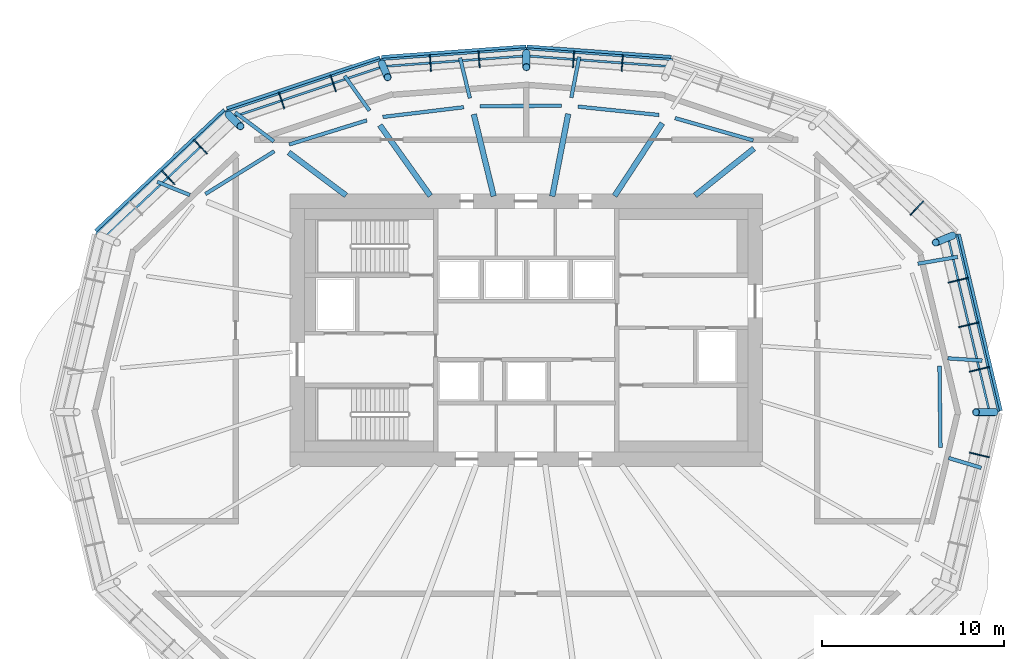
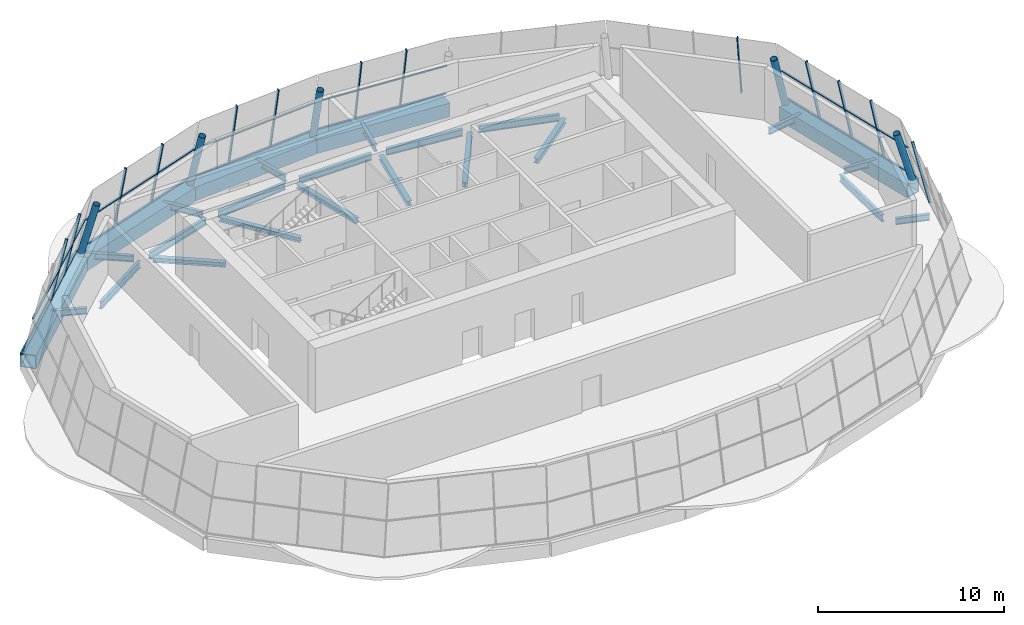
# One storey, part 3 of 9: 28 members, 26 beams, 7 elements without a shape of their own.
"""IFC4 building model written with IfcOpenShell, lengths in metres."""

import ifcopenshell
import ifcopenshell.guid

model = None  # the IFC model being written
_history = None  # IfcOwnerHistory: only IFC2X3 demands one
_inside = {}  # id of a spatial element -> (the spatial element, [elements in it])
_under = {}  # id of a project, library or spatial element -> (it, [spatial elements below it])
_declared = {}  # id of a project -> (the project, [libraries it declares])
_typed = {}  # id of a type object -> (the type object, [elements of that type])
_made_of = {}  # id of a material, layer set ... -> (it, [elements and type objects made of it])


def new_model(schema):
    """Start an empty IFC model of exactly this schema.

    Asked for "IFC4X3", IfcOpenShell would pick the latest addendum, in which some entities
    have other attributes; the version numbers below select the first issue.
    IFC2X3 requires an IfcOwnerHistory on every rooted entity: one is made here for all.
    """
    global model, _history
    if schema == "IFC4X3":
        model = ifcopenshell.file(schema_version=(4, 3, 0, 0))
    else:
        model = ifcopenshell.file(schema=schema)
    _inside.clear()
    _under.clear()
    _declared.clear()
    _typed.clear()
    _made_of.clear()
    _history = None
    if model.schema == "IFC2X3":
        org = make("IfcOrganization", Name="unknown")
        user = make(
            "IfcPersonAndOrganization",
            ThePerson=make("IfcPerson", FamilyName="unknown"),
            TheOrganization=org,
        )
        app = make(
            "IfcApplication",
            ApplicationDeveloper=org,
            Version="unknown",
            ApplicationFullName="unknown",
            ApplicationIdentifier="unknown",
        )
        _history = make(
            "IfcOwnerHistory",
            OwningUser=user,
            OwningApplication=app,
            ChangeAction="ADDED",
            CreationDate=0,
        )
    return model


def make(cls, **values):
    """One entity of the class cls with the attributes given. An attribute that is None is left unset."""
    return model.create_entity(
        cls, **{name: value for name, value in values.items() if value is not None}
    )


def rooted(cls, **values):
    """An entity with a GlobalId (a new one), such as an element, a storey or a relation."""
    return make(cls, GlobalId=ifcopenshell.guid.new(), OwnerHistory=_history, **values)


def si_unit(unit_type, name, prefix=None):
    """IfcSIUnit, for example si_unit("LENGTHUNIT", "METRE", prefix="MILLI")."""
    return make("IfcSIUnit", UnitType=unit_type, Prefix=prefix, Name=name)


def assignment(units):
    """IfcUnitAssignment: the units of a project."""
    return None if units is None else make("IfcUnitAssignment", Units=units)


def point(xyz):
    """IfcCartesianPoint."""
    return None if xyz is None else make("IfcCartesianPoint", Coordinates=xyz)


def direction(xyz):
    """IfcDirection."""
    return None if xyz is None else make("IfcDirection", DirectionRatios=xyz)


def frame(location, z_axis=None, x_axis=None):
    """IfcAxis2Placement3D, a coordinate frame: its origin and axes. An axis left out is left unset."""
    return make(
        "IfcAxis2Placement3D",
        Location=point(location),
        Axis=direction(z_axis),
        RefDirection=direction(x_axis),
    )


def frame_2d(location, x_axis=None):
    """IfcAxis2Placement2D, a coordinate frame in the plane: its origin and x axis."""
    return make(
        "IfcAxis2Placement2D", Location=point(location), RefDirection=direction(x_axis)
    )


def origin():
    """The frame at (0, 0, 0) with its axes left unset."""
    return frame((0.0, 0.0, 0.0))


def origin_2d():
    """The frame at (0, 0) in the plane with its x axis left unset."""
    return frame_2d((0.0, 0.0))


def place(relative_to, where):
    """IfcLocalPlacement: puts the frame where relative to a parent placement (None: the world)."""
    return make(
        "IfcLocalPlacement", PlacementRelTo=relative_to, RelativePlacement=where
    )


def context(
    kind, dimensions, precision=None, world=None, true_north=None, identifier=None
):
    """IfcGeometricRepresentationContext, for example the 3D "Model" context."""
    return make(
        "IfcGeometricRepresentationContext",
        ContextIdentifier=identifier,
        ContextType=kind,
        CoordinateSpaceDimension=dimensions,
        Precision=precision,
        WorldCoordinateSystem=world,
        TrueNorth=true_north,
    )


def subcontext(parent, identifier, kind, view, scale=None):
    """IfcGeometricRepresentationSubContext, for example "Body" below "Model"."""
    return make(
        "IfcGeometricRepresentationSubContext",
        ContextIdentifier=identifier,
        ContextType=kind,
        ParentContext=parent,
        TargetScale=scale,
        TargetView=view,
    )


def project(units=None, contexts=None):
    """IfcProject with its units and contexts."""
    return rooted(
        "IfcProject",
        Name="project",
        RepresentationContexts=contexts,
        UnitsInContext=assignment(units),
    )


def spatial(cls, under=None, at=None, **own):
    """A site, building, storey or space (cls), placed at a placement, below another one or the project."""
    s = rooted(cls, ObjectPlacement=at, **own)
    if under is not None:
        _under.setdefault(under.id(), (under, []))[1].append(s)
    return s


def profile(cls, at=None, kind="AREA", **sizes):
    """A parametric profile (cls). Its sizes go by their IFC names, for example OverallWidth=200.0."""
    return make(cls, ProfileType=kind, Position=at, **sizes)


def rectangle(**sizes):
    """IfcRectangleProfileDef."""
    return profile("IfcRectangleProfileDef", **sizes)


def hollow_rectangle(**sizes):
    """IfcRectangleHollowProfileDef."""
    return profile("IfcRectangleHollowProfileDef", **sizes)


def hollow_circle(**sizes):
    """IfcCircleHollowProfileDef."""
    return profile("IfcCircleHollowProfileDef", **sizes)


def i_section(**sizes):
    """IfcIShapeProfileDef."""
    return profile("IfcIShapeProfileDef", **sizes)


def extrude(swept, where, along, depth):
    """IfcExtrudedAreaSolid: the profile swept, set in the frame where, extruded along a direction by depth."""
    return make(
        "IfcExtrudedAreaSolid",
        SweptArea=swept,
        Position=where,
        ExtrudedDirection=direction(along),
        Depth=depth,
    )


def shape(context_of_items, identifier, shape_type, items):
    """IfcShapeRepresentation: the items that make up one representation, for example the "Body"."""
    return make(
        "IfcShapeRepresentation",
        ContextOfItems=context_of_items,
        RepresentationIdentifier=identifier,
        RepresentationType=shape_type,
        Items=items,
    )


def material(Name=None, Category=None):
    """IfcMaterial."""
    return make("IfcMaterial", Name=Name, Category=Category)


def material_profile(
    of_material, cross_section, Name=None, Category=None, Priority=None
):
    """IfcMaterialProfile: a cross section and its material."""
    return make(
        "IfcMaterialProfile",
        Name=Name,
        Material=of_material,
        Profile=cross_section,
        Priority=Priority,
        Category=Category,
    )


def profile_set(profiles, Name=None, composite=None):
    """IfcMaterialProfileSet."""
    return make(
        "IfcMaterialProfileSet",
        Name=Name,
        MaterialProfiles=profiles,
        CompositeProfile=composite,
    )


def made_of(thing, what):
    """Note that an element or type object is made of a material, layer set ...; save() writes the relation."""
    if what is not None:
        _made_of.setdefault(what.id(), (what, []))[1].append(thing)
    return thing


def type_object(cls, material=None, **own):
    """A type object (cls), such as IfcWallType, which elements share."""
    return made_of(rooted(cls, **own), material)


def element(
    cls,
    number,
    at=None,
    inside=None,
    cuts=None,
    type_object=None,
    material=None,
    context=None,
    identifier="Body",
    shape_type=None,
    held_by="IfcProductDefinitionShape",
    body=None,
    shapes=None,
    **own,
):
    """One element of the class cls, such as IfcWall. Its Tag is "e" and its number.

    at: its placement. inside: the storey or other place that contains it. cuts: it is an
    opening in that element (IfcRelVoidsElement). A single representation is given by context,
    identifier, shape_type and body (its items); several are given by shapes. held_by: the class
    of the entity that holds the representations. save() writes the other relations.
    """
    e = rooted(cls, Tag="e%d" % number, ObjectPlacement=at, **own)
    if body is not None:
        shapes = [shape(context, identifier, shape_type, body)]
    if shapes is not None:
        e.Representation = make(held_by, Representations=shapes)
    if inside is not None:
        _inside.setdefault(inside.id(), (inside, []))[1].append(e)
    if cuts is not None:
        rooted(
            "IfcRelVoidsElement", RelatingBuildingElement=cuts, RelatedOpeningElement=e
        )
    if type_object is not None:
        _typed.setdefault(type_object.id(), (type_object, []))[1].append(e)
    return made_of(e, material)


def aggregate(whole, parts):
    """IfcRelAggregates: a whole, such as a stair, and the parts it consists of."""
    return rooted("IfcRelAggregates", RelatingObject=whole, RelatedObjects=parts)


def save(model, path):
    """Write the relations noted so far, then the file.

    IfcRelAggregates (storeys below a building ...), IfcRelContainedInSpatialStructure (elements
    in a storey), IfcRelDefinesByType, IfcRelAssociatesMaterial and IfcRelDeclares: one each for
    every whole, place, type object, material and project.
    """
    for whole, parts in _under.values():
        aggregate(whole, parts)
    for where, things in _inside.values():
        rooted(
            "IfcRelContainedInSpatialStructure",
            RelatedElements=things,
            RelatingStructure=where,
        )
    for kind, things in _typed.values():
        rooted("IfcRelDefinesByType", RelatedObjects=things, RelatingType=kind)
    for what, things in _made_of.values():
        rooted("IfcRelAssociatesMaterial", RelatedObjects=things, RelatingMaterial=what)
    for by, libraries in _declared.values():
        rooted("IfcRelDeclares", RelatingContext=by, RelatedDefinitions=libraries)
    model.write(path)


model = new_model("IFC4")

# Units and contexts
model_context = context("Model", 3, precision=1e-05, world=origin(), true_north=direction((0.0, 1.0)))
body_context = subcontext(model_context, "Body", "Model", "MODEL_VIEW")
ifc_project = project(units=[si_unit("LENGTHUNIT", "METRE"), si_unit("AREAUNIT", "SQUARE_METRE"), si_unit("VOLUMEUNIT", "CUBIC_METRE"), si_unit("PLANEANGLEUNIT", "RADIAN"), si_unit("MASSUNIT", "GRAM", prefix="KILO")], contexts=[model_context])

# Site, building, storey
site_placement = place(None, origin())
site = spatial("IfcSite", under=ifc_project, at=site_placement, CompositionType="ELEMENT")
building_placement = place(site_placement, origin())
building = spatial("IfcBuilding", under=site, at=building_placement, Name="Rubra Terraces Tower", CompositionType="ELEMENT")
storey_placement = place(building_placement, frame((0.0, 0.0, 307.800048828125)))
storey = spatial("IfcBuildingStorey", under=building, at=storey_placement, Name="L76", CompositionType="ELEMENT", Elevation=307.800048828125)

# Beams
ifc_material_1 = material(Name="Steel Q355B", Category="steel")
ifc_material_profile_1 = material_profile(ifc_material_1, i_section(OverallWidth=0.199951171875, OverallDepth=0.39990234375, WebThickness=0.008056640625, FlangeThickness=0.012939453125, at=origin_2d()), Name="HN 400x200x8x13")
ifc_profile_set_1 = profile_set([ifc_material_profile_1], Name="Steel Q355B")
beam_type_1 = type_object("IfcBeamType", Name="CANTILEVER BEAM HN 400x200x8x13", PredefinedType="BEAM", material=ifc_profile_set_1)
beam_1_placement = place(storey_placement, frame((23.195068359375, 2.9619140625, -0.400146484375), z_axis=(0.997836004321, -0.065751870555, 0.0), x_axis=(0.065751870555, 0.997836004321, 0.0)))
element("IfcBeam", 1, at=beam_1_placement, inside=storey, type_object=beam_type_1, Name="beam-L76-cant-01", PredefinedType="BEAM", context=body_context, shape_type="SweptSolid", body=[
    extrude(i_section(OverallWidth=0.199951171875, OverallDepth=0.39990234375, WebThickness=0.008056640625, FlangeThickness=0.012939453125, at=origin_2d()), origin(), (0.0, 0.0, 1.0), 1.901123046875),
])
beam_2_placement = place(storey_placement, frame((21.552001953125, 8.169921875, -0.400146484375), z_axis=(0.985797890068, 0.167936059073, 0.0), x_axis=(-0.167936059073, 0.985797890068, 0.0)))
element("IfcBeam", 2, at=beam_2_placement, inside=storey, type_object=beam_type_1, Name="beam-L76-cant-02", PredefinedType="BEAM", context=body_context, shape_type="SweptSolid", body=[
    extrude(i_section(OverallWidth=0.199951171875, OverallDepth=0.39990234375, WebThickness=0.008056640625, FlangeThickness=0.012939453125, at=origin_2d()), origin(), (0.0, 0.0, 1.0), 2.215576171875),
])
beam_3_placement = place(storey_placement, frame((2.47802734375, 17.30810546875, -0.400146484375), z_axis=(0.190101513747, 0.9817644394, 0.0), x_axis=(-0.9817644394, 0.190101513747, 0.0)))
element("IfcBeam", 3, at=beam_3_placement, inside=storey, type_object=beam_type_1, Name="beam-L76-cant-06", PredefinedType="BEAM", context=body_context, shape_type="SweptSolid", body=[
    extrude(i_section(OverallWidth=0.199951171875, OverallDepth=0.39990234375, WebThickness=0.008056640625, FlangeThickness=0.012939453125, at=origin_2d()), origin(), (0.0, 0.0, 1.0), 2.28857421875),
])
beam_4_placement = place(storey_placement, frame((-3.10693359375, 17.280029296875, -0.400146484375), z_axis=(-0.236174484857, 0.971710663059, 0.0), x_axis=(-0.971710663059, -0.236174484857, 0.0)))
element("IfcBeam", 4, at=beam_4_placement, inside=storey, type_object=beam_type_1, Name="beam-L76-cant-07", PredefinedType="BEAM", context=body_context, shape_type="SweptSolid", body=[
    extrude(i_section(OverallWidth=0.199951171875, OverallDepth=0.39990234375, WebThickness=0.008056640625, FlangeThickness=0.012939453125, at=origin_2d()), origin(), (0.0, 0.0, 1.0), 2.28662109375),
])
beam_5_placement = place(storey_placement, frame((-8.632080078125, 16.591064453125, -0.400146484375), z_axis=(-0.581218554281, 0.813747499019, 0.0), x_axis=(-0.813747499019, -0.581218554281, 0.0)))
element("IfcBeam", 5, at=beam_5_placement, inside=storey, type_object=beam_type_1, Name="beam-L76-cant-08", PredefinedType="BEAM", context=body_context, shape_type="SweptSolid", body=[
    extrude(i_section(OverallWidth=0.199951171875, OverallDepth=0.39990234375, WebThickness=0.008056640625, FlangeThickness=0.012939453125, at=origin_2d()), origin(), (0.0, 0.0, 1.0), 2.351806640625),
])
beam_6_placement = place(storey_placement, frame((-13.89794921875, 14.903076171875, -0.400146484375), z_axis=(-0.800352472394, 0.599529748997, 0.0), x_axis=(-0.599529748997, -0.800352472394, 0.0)))
element("IfcBeam", 6, at=beam_6_placement, inside=storey, type_object=beam_type_1, Name="beam-L76-cant-09", PredefinedType="BEAM", context=body_context, shape_type="SweptSolid", body=[
    extrude(i_section(OverallWidth=0.199951171875, OverallDepth=0.39990234375, WebThickness=0.008056640625, FlangeThickness=0.012939453125, at=origin_2d()), origin(), (0.0, 0.0, 1.0), 2.65869140625),
])
beam_7_placement = place(storey_placement, frame((-18.51708984375, 11.949951171875, -0.400146484375), z_axis=(-0.927587967168, 0.373604822192, 0.0), x_axis=(-0.373604822192, -0.927587967168, 0.0)))
element("IfcBeam", 7, at=beam_7_placement, inside=storey, type_object=beam_type_1, Name="beam-L76-cant-10", PredefinedType="BEAM", context=body_context, shape_type="SweptSolid", body=[
    extrude(i_section(OverallWidth=0.199951171875, OverallDepth=0.39990234375, WebThickness=0.008056640625, FlangeThickness=0.012939453125, at=origin_2d()), origin(), (0.0, 0.0, 1.0), 1.938232421875),
])
beam_8_placement = place(storey_placement, frame((23.239013671875, -2.52099609375, -0.400146484375), z_axis=(0.95734941017, -0.288932702974, 0.0), x_axis=(0.288932702974, 0.95734941017, 0.0)))
element("IfcBeam", 8, at=beam_8_placement, inside=storey, type_object=beam_type_1, Name="beam-L76-cant-24", PredefinedType="BEAM", context=body_context, shape_type="SweptSolid", body=[
    extrude(i_section(OverallWidth=0.199951171875, OverallDepth=0.39990234375, WebThickness=0.008056640625, FlangeThickness=0.012939453125, at=origin_2d()), origin(), (0.0, 0.0, 1.0), 1.879150390625),
])

# Members
ifc_material_profile_2 = material_profile(ifc_material_1, hollow_circle(Radius=0.202880859375, WallThickness=0.01611328125, at=origin_2d()), Name="CHS 406x16")
ifc_profile_set_2 = profile_set([ifc_material_profile_2], Name="Steel Q355B")
member_type_1 = type_object("IfcMemberType", Name="CROWN POST CHS 406x16", PredefinedType="POST", material=ifc_profile_set_2)
member_1_placement = place(storey_placement, frame((25.76708984375, 0.0, -0.199951171875), z_axis=(-0.279053306504, 0.0, 0.960275612587), x_axis=(0.0, -1.0, 0.0)))
element("IfcMember", 9, at=member_1_placement, inside=storey, type_object=member_type_1, Name="CROWN POST", PredefinedType="POST", context=body_context, shape_type="SweptSolid", body=[
    extrude(hollow_circle(Radius=0.202880859375, WallThickness=0.01611328125, at=origin_2d()), origin(), (0.0, 0.0, 1.0), 3.644775390625),
])
member_2_placement = place(storey_placement, frame((23.456787109375, 9.7158203125, -0.199951171875), z_axis=(-0.254357897839, -0.10521685782, 0.96136958171), x_axis=(0.382244200362, -0.924061346064, 0.0)))
element("IfcMember", 10, at=member_2_placement, inside=storey, type_object=member_type_1, Name="CROWN POST", PredefinedType="POST", context=body_context, shape_type="SweptSolid", body=[
    extrude(hollow_circle(Radius=0.202880859375, WallThickness=0.01611328125, at=origin_2d()), origin(), (0.0, 0.0, 1.0), 3.640625),
])
member_3_placement = place(storey_placement, frame((0.0, 19.76708984375, -0.199951171875), z_axis=(0.0, -0.218047563731, 0.975938143506), x_axis=(1.0, 0.0, 0.0)))
element("IfcMember", 11, at=member_3_placement, inside=storey, type_object=member_type_1, Name="CROWN POST", PredefinedType="POST", context=body_context, shape_type="SweptSolid", body=[
    extrude(hollow_circle(Radius=0.202880859375, WallThickness=0.01611328125, at=origin_2d()), origin(), (0.0, 0.0, 1.0), 3.586181640625),
])
member_4_placement = place(storey_placement, frame((-7.94775390625, 19.188720703125, -0.199951171875), z_axis=(0.087331454924, -0.211130243668, 0.973548785213), x_axis=(0.924067518239, 0.382229279014, 0.0)))
element("IfcMember", 12, at=member_4_placement, inside=storey, type_object=member_type_1, Name="CROWN POST", PredefinedType="POST", context=body_context, shape_type="SweptSolid", body=[
    extrude(hollow_circle(Radius=0.202880859375, WallThickness=0.01611328125, at=origin_2d()), origin(), (0.0, 0.0, 1.0), 3.59521484375),
])
member_5_placement = place(storey_placement, frame((-16.379150390625, 16.379150390625, -0.199951171875), z_axis=(0.178839493723, -0.178839493723, 0.967487917739), x_axis=(0.707106781187, 0.707106781187, 0.0)))
element("IfcMember", 13, at=member_5_placement, inside=storey, type_object=member_type_1, Name="CROWN POST", PredefinedType="POST", context=body_context, shape_type="SweptSolid", body=[
    extrude(hollow_circle(Radius=0.202880859375, WallThickness=0.01611328125, at=origin_2d()), origin(), (0.0, 0.0, 1.0), 3.61767578125),
])

# Beams
ifc_material_profile_3 = material_profile(ifc_material_1, hollow_rectangle(XDim=0.89990234375, YDim=0.89990234375, WallThickness=0.044921875, at=origin_2d()), Name="BOX 900x900x45")
ifc_profile_set_3 = profile_set([ifc_material_profile_3], Name="Steel Q355B")
beam_type_2 = type_object("IfcBeamType", Name="CROWN RING GIRDER BOX 900x900x45", PredefinedType="BEAM", material=ifc_profile_set_3)
beam_9_placement = place(storey_placement, frame((25.76708984375, 0.0, -0.650146484375), z_axis=(-0.231308749283, 0.972880394758, 0.0), x_axis=(-0.972880394758, -0.231308749283, 0.0)))
element("IfcBeam", 14, at=beam_9_placement, inside=storey, type_object=beam_type_2, Name="CROWN RING GIRDER", PredefinedType="BEAM", context=body_context, shape_type="SweptSolid", body=[
    extrude(hollow_rectangle(XDim=0.89990234375, YDim=0.89990234375, WallThickness=0.044921875, at=origin_2d()), origin(), (0.0, 0.0, 1.0), 9.98681640625),
])
for number, where, z_axis, x_axis, name in (
    (15, (7.947998046875, 19.18896484375, -0.650146484375), (-0.997365010944, 0.072546777635, 0.0), (-0.072546777635, -0.997365010944, 0.0), "CROWN RING GIRDER"),
    (16, (0.0, 19.76708984375, -0.650146484375), (-0.997365010944, -0.072546777635, 0.0), (0.072546777635, -0.997365010944, 0.0), "CROWN RING GIRDER"),
):
    element("IfcBeam", number, at=place(storey_placement, frame(where, z_axis=z_axis, x_axis=x_axis)), inside=storey, type_object=beam_type_2, Name=name, PredefinedType="BEAM", context=body_context, shape_type="SweptSolid", body=[
        extrude(hollow_rectangle(XDim=0.89990234375, YDim=0.89990234375, WallThickness=0.044921875, at=origin_2d()), origin(), (0.0, 0.0, 1.0), 7.968994140625),
    ])
beam_10_placement = place(storey_placement, frame((-7.947998046875, 19.18896484375, -0.650146484375), z_axis=(-0.948691539337, -0.316203041084, 0.0), x_axis=(0.316203041084, -0.948691539337, 0.0)))
element("IfcBeam", 17, at=beam_10_placement, inside=storey, type_object=beam_type_2, Name="CROWN RING GIRDER", PredefinedType="BEAM", context=body_context, shape_type="SweptSolid", body=[
    extrude(hollow_rectangle(XDim=0.89990234375, YDim=0.89990234375, WallThickness=0.044921875, at=origin_2d()), origin(), (0.0, 0.0, 1.0), 8.886962890625),
])
beam_11_placement = place(storey_placement, frame((-16.37890625, 16.37890625, -0.650146484375), z_axis=(-0.728144690434, -0.685423452905, 0.0), x_axis=(0.685423452905, -0.728144690434, 0.0)))
element("IfcBeam", 18, at=beam_11_placement, inside=storey, type_object=beam_type_2, Name="CROWN RING GIRDER", PredefinedType="BEAM", context=body_context, shape_type="SweptSolid", body=[
    extrude(hollow_rectangle(XDim=0.89990234375, YDim=0.89990234375, WallThickness=0.044921875, at=origin_2d()), origin(), (0.0, 0.0, 1.0), 9.720703125),
])

# Curtain wall, members
ifc_material_2 = material(Name="Aluminium and glass", Category="aluminium")
curtain_wall_type = type_object("IfcCurtainWallType", Name="Curtain wall Crown glazing", PredefinedType="NOTDEFINED", material=ifc_material_2)
curtain_wall_1_placement = place(storey_placement, origin())
curtain_wall_1 = element("IfcCurtainWall", 19, at=curtain_wall_1_placement, inside=storey, type_object=curtain_wall_type, Name="Crown glazing L76 facet 1", PredefinedType="NOTDEFINED")
ifc_material_3 = material(Name="Aluminium, anodised dark grey", Category="aluminium")
ifc_material_profile_4 = material_profile(ifc_material_3, rectangle(XDim=0.06005859375, YDim=0.159912109375, at=origin_2d()), Name="AL 60x160")
ifc_profile_set_4 = profile_set([ifc_material_profile_4], Name="Aluminium, anodised dark grey")
member_type_2 = type_object("IfcMemberType", Name="Crown glazing mullion 60 x 160", PredefinedType="MULLION", material=ifc_profile_set_4)
member_6_placement = place(storey_placement, frame((25.41357421875, 2.4697265625, 0.0), z_axis=(-0.223097402473, -0.052959464549, 0.973356483579), x_axis=(0.230964397981, -0.972962202177, 0.0)))
member_6 = element("IfcMember", 20, at=member_6_placement, type_object=member_type_2, Name="Crown glazing L76 facet 1 mullion 1", PredefinedType="MULLION", context=body_context, shape_type="SweptSolid", body=[
    extrude(rectangle(XDim=0.06005859375, YDim=0.159912109375, at=origin_2d()), origin(), (0.0, 0.0, 1.0), 4.31494140625),
])
member_7_placement = place(storey_placement, frame((24.83154296875, 4.9208984375, 0.0), z_axis=(-0.223097402473, -0.052959464549, 0.973356483579), x_axis=(0.230964397981, -0.972962202177, 0.0)))
member_7 = element("IfcMember", 21, at=member_7_placement, type_object=member_type_2, Name="Crown glazing L76 facet 1 mullion 2", PredefinedType="MULLION", context=body_context, shape_type="SweptSolid", body=[
    extrude(rectangle(XDim=0.06005859375, YDim=0.159912109375, at=origin_2d()), origin(), (0.0, 0.0, 1.0), 4.31494140625),
])
member_8_placement = place(storey_placement, frame((24.24951171875, 7.372314453125, 0.0), z_axis=(-0.223097402473, -0.052959464549, 0.973356483579), x_axis=(0.230964397981, -0.972962202177, 0.0)))
member_8 = element("IfcMember", 22, at=member_8_placement, type_object=member_type_2, Name="Crown glazing L76 facet 1 mullion 3", PredefinedType="MULLION", context=body_context, shape_type="SweptSolid", body=[
    extrude(rectangle(XDim=0.06005859375, YDim=0.159912109375, at=origin_2d()), origin(), (0.0, 0.0, 1.0), 4.31494140625),
])

# Curtain wall, member
curtain_wall_2_placement = place(storey_placement, origin())
curtain_wall_2 = element("IfcCurtainWall", 23, at=curtain_wall_2_placement, inside=storey, type_object=curtain_wall_type, Name="Crown glazing L76 facet 2", PredefinedType="NOTDEFINED")
member_9_placement = place(storey_placement, frame((21.810791015625, 11.564453125, 0.0), z_axis=(-0.146142986341, -0.154605988659, 0.977107576377), x_axis=(0.726716925474, -0.686937049685, 0.0)))
member_9 = element("IfcMember", 24, at=member_9_placement, type_object=member_type_2, Name="Crown glazing L76 facet 2 mullion 1", PredefinedType="MULLION", context=body_context, shape_type="SweptSolid", body=[
    extrude(rectangle(XDim=0.06005859375, YDim=0.159912109375, at=origin_2d()), origin(), (0.0, 0.0, 1.0), 4.29833984375),
])
aggregate(curtain_wall_2, [member_9])

# Curtain wall, members
curtain_wall_3_placement = place(storey_placement, origin())
curtain_wall_3 = element("IfcCurtainWall", 25, at=curtain_wall_3_placement, inside=storey, type_object=curtain_wall_type, Name="Crown glazing L76 facet 4", PredefinedType="NOTDEFINED")
member_10_placement = place(storey_placement, frame((5.308349609375, 19.606201171875, 0.0), z_axis=(-0.013488067911, -0.182031763971, 0.983200136762), x_axis=(0.997266045522, -0.07389475251, 0.0)))
member_10 = element("IfcMember", 26, at=member_10_placement, type_object=member_type_2, Name="Crown glazing L76 facet 4 mullion 1", PredefinedType="MULLION", context=body_context, shape_type="SweptSolid", body=[
    extrude(rectangle(XDim=0.06005859375, YDim=0.159912109375, at=origin_2d()), origin(), (0.0, 0.0, 1.0), 4.271728515625),
])
member_11_placement = place(storey_placement, frame((2.62939453125, 19.804931640625, 0.0), z_axis=(-0.013487927566, -0.182087022147, 0.983189906465), x_axis=(0.997267754457, -0.073871685515, 0.0)))
member_11 = element("IfcMember", 27, at=member_11_placement, type_object=member_type_2, Name="Crown glazing L76 facet 4 mullion 2", PredefinedType="MULLION", context=body_context, shape_type="SweptSolid", body=[
    extrude(rectangle(XDim=0.06005859375, YDim=0.159912109375, at=origin_2d()), origin(), (0.0, 0.0, 1.0), 4.271728515625),
])

curtain_wall_4_placement = place(storey_placement, origin())
curtain_wall_4 = element("IfcCurtainWall", 28, at=curtain_wall_4_placement, inside=storey, type_object=curtain_wall_type, Name="Crown glazing L76 facet 5", PredefinedType="NOTDEFINED")
member_12_placement = place(storey_placement, frame((-2.62939453125, 19.804931640625, 0.0), z_axis=(0.013487927566, -0.182087022147, 0.983189906465), x_axis=(0.997267754457, 0.073871685515, 0.0)))
member_12 = element("IfcMember", 29, at=member_12_placement, type_object=member_type_2, Name="Crown glazing L76 facet 5 mullion 1", PredefinedType="MULLION", context=body_context, shape_type="SweptSolid", body=[
    extrude(rectangle(XDim=0.06005859375, YDim=0.159912109375, at=origin_2d()), origin(), (0.0, 0.0, 1.0), 4.271728515625),
])
member_13_placement = place(storey_placement, frame((-5.308349609375, 19.606201171875, 0.0), z_axis=(0.013488067911, -0.182031763971, 0.983200136762), x_axis=(0.997266045522, 0.07389475251, 0.0)))
member_13 = element("IfcMember", 30, at=member_13_placement, type_object=member_type_2, Name="Crown glazing L76 facet 5 mullion 2", PredefinedType="MULLION", context=body_context, shape_type="SweptSolid", body=[
    extrude(rectangle(XDim=0.06005859375, YDim=0.159912109375, at=origin_2d()), origin(), (0.0, 0.0, 1.0), 4.271728515625),
])

curtain_wall_5_placement = place(storey_placement, origin())
curtain_wall_5 = element("IfcCurtainWall", 31, at=curtain_wall_5_placement, inside=storey, type_object=curtain_wall_type, Name="Crown glazing L76 facet 6", PredefinedType="NOTDEFINED")
member_14_placement = place(storey_placement, frame((-10.762939453125, 18.487548828125, 0.0), z_axis=(0.061046928569, -0.181543295987, 0.981486273055), x_axis=(0.947845941516, 0.318728836399, 0.0)))
member_14 = element("IfcMember", 32, at=member_14_placement, type_object=member_type_2, Name="Crown glazing L76 facet 6 mullion 1", PredefinedType="MULLION", context=body_context, shape_type="SweptSolid", body=[
    extrude(rectangle(XDim=0.06005859375, YDim=0.159912109375, at=origin_2d()), origin(), (0.0, 0.0, 1.0), 4.279052734375),
])
member_15_placement = place(storey_placement, frame((-13.5986328125, 17.5341796875, 0.0), z_axis=(0.061047560781, -0.181488122283, 0.981496437484), x_axis=(0.947815667903, 0.318818850882, 0.0)))
member_15 = element("IfcMember", 33, at=member_15_placement, type_object=member_type_2, Name="Crown glazing L76 facet 6 mullion 2", PredefinedType="MULLION", context=body_context, shape_type="SweptSolid", body=[
    extrude(rectangle(XDim=0.06005859375, YDim=0.159912109375, at=origin_2d()), origin(), (0.0, 0.0, 1.0), 4.279052734375),
])

curtain_wall_6_placement = place(storey_placement, origin())
curtain_wall_6 = element("IfcCurtainWall", 34, at=curtain_wall_6_placement, inside=storey, type_object=curtain_wall_type, Name="Crown glazing L76 facet 7", PredefinedType="NOTDEFINED")
member_16_placement = place(storey_placement, frame((-18.246826171875, 14.93408203125, 0.0), z_axis=(0.146142986341, -0.154605988659, 0.977107576377), x_axis=(0.726716925474, 0.686937049685, 0.0)))
member_16 = element("IfcMember", 35, at=member_16_placement, type_object=member_type_2, Name="Crown glazing L76 facet 7 mullion 1", PredefinedType="MULLION", context=body_context, shape_type="SweptSolid", body=[
    extrude(rectangle(XDim=0.06005859375, YDim=0.159912109375, at=origin_2d()), origin(), (0.0, 0.0, 1.0), 4.29833984375),
])
member_17_placement = place(storey_placement, frame((-20.02880859375, 13.249267578125, 0.0), z_axis=(0.146142986341, -0.154605988659, 0.977107576377), x_axis=(0.726716925474, 0.686937049685, 0.0)))
member_17 = element("IfcMember", 36, at=member_17_placement, type_object=member_type_2, Name="Crown glazing L76 facet 7 mullion 2", PredefinedType="MULLION", context=body_context, shape_type="SweptSolid", body=[
    extrude(rectangle(XDim=0.06005859375, YDim=0.159912109375, at=origin_2d()), origin(), (0.0, 0.0, 1.0), 4.29833984375),
])

# Curtain wall, member
curtain_wall_7_placement = place(storey_placement, origin())
curtain_wall_7 = element("IfcCurtainWall", 37, at=curtain_wall_7_placement, inside=storey, type_object=curtain_wall_type, Name="Crown glazing L76 facet 16", PredefinedType="NOTDEFINED")
member_18_placement = place(storey_placement, frame((25.41357421875, -2.4697265625, 0.0), z_axis=(-0.223097402473, 0.052959464549, 0.973356483579), x_axis=(-0.230964397981, -0.972962202177, 0.0)))
member_18 = element("IfcMember", 38, at=member_18_placement, type_object=member_type_2, Name="Crown glazing L76 facet 16 mullion 3", PredefinedType="MULLION", context=body_context, shape_type="SweptSolid", body=[
    extrude(rectangle(XDim=0.06005859375, YDim=0.159912109375, at=origin_2d()), origin(), (0.0, 0.0, 1.0), 4.31494140625),
])
aggregate(curtain_wall_7, [member_18])

# Member
ifc_material_profile_5 = material_profile(ifc_material_3, rectangle(XDim=0.1201171875, YDim=0.06005859375, at=origin_2d()), Name="AL 120x60")
ifc_profile_set_5 = profile_set([ifc_material_profile_5], Name="Aluminium, anodised dark grey")
member_type_3 = type_object("IfcMemberType", Name="Crown glazing transom 120 x 60", PredefinedType="USERDEFINED", material=ifc_profile_set_5)
member_19_placement = place(storey_placement, frame((26.0, 0.0, 0.0), z_axis=(-0.230998185213, 0.972954181053, 0.0), x_axis=(-0.972954181053, -0.230998185213, 0.0)))
member_19 = element("IfcMember", 39, at=member_19_placement, type_object=member_type_3, Name="Crown glazing L76 facet 1 transom 1", ObjectType="TRANSOM", PredefinedType="USERDEFINED", context=body_context, shape_type="SweptSolid", body=[
    extrude(rectangle(XDim=0.1201171875, YDim=0.06005859375, at=origin_2d()), origin(), (0.0, 0.0, 1.0), 10.077392578125),
])

member_20_placement = place(storey_placement, frame((25.491455078125, 0.0, 2.099853515625), z_axis=(-0.231001384979, 0.972953421361, 0.0), x_axis=(-0.972953421361, -0.231001384979, 0.0)))
member_20 = element("IfcMember", 40, at=member_20_placement, type_object=member_type_3, Name="Crown glazing L76 facet 1 transom 2", ObjectType="TRANSOM", PredefinedType="USERDEFINED", context=body_context, shape_type="SweptSolid", body=[
    extrude(rectangle(XDim=0.1201171875, YDim=0.06005859375, at=origin_2d()), origin(), (0.0, 0.0, 1.0), 9.880859375),
])

aggregate(curtain_wall_1, [member_6, member_7, member_8, member_19, member_20])

member_21_placement = place(storey_placement, frame((8.037109375, 19.404052734375, 0.0), z_axis=(-0.997262213687, 0.073946447862, 0.0), x_axis=(-0.073946447862, -0.997262213687, 0.0)))
member_21 = element("IfcMember", 41, at=member_21_placement, type_object=member_type_3, Name="Crown glazing L76 facet 4 transom 1", ObjectType="TRANSOM", PredefinedType="USERDEFINED", context=body_context, shape_type="SweptSolid", body=[
    extrude(rectangle(XDim=0.1201171875, YDim=0.06005859375, at=origin_2d()), origin(), (0.0, 0.0, 1.0), 8.05908203125),
])

member_22_placement = place(storey_placement, frame((7.8798828125, 19.024658203125, 2.099853515625), z_axis=(-0.997262778171, 0.073938834681, 0.0), x_axis=(-0.073938834681, -0.997262778171, 0.0)))
member_22 = element("IfcMember", 42, at=member_22_placement, type_object=member_type_3, Name="Crown glazing L76 facet 4 transom 2", ObjectType="TRANSOM", PredefinedType="USERDEFINED", context=body_context, shape_type="SweptSolid", body=[
    extrude(rectangle(XDim=0.1201171875, YDim=0.06005859375, at=origin_2d()), origin(), (0.0, 0.0, 1.0), 7.901611328125),
])

aggregate(curtain_wall_3, [member_10, member_11, member_21, member_22])

member_23_placement = place(storey_placement, frame((0.0, 20.0, 0.0), z_axis=(-0.997262213687, -0.073946447862, 0.0), x_axis=(0.073946447862, -0.997262213687, 0.0)))
member_23 = element("IfcMember", 43, at=member_23_placement, type_object=member_type_3, Name="Crown glazing L76 facet 5 transom 1", ObjectType="TRANSOM", PredefinedType="USERDEFINED", context=body_context, shape_type="SweptSolid", body=[
    extrude(rectangle(XDim=0.1201171875, YDim=0.06005859375, at=origin_2d()), origin(), (0.0, 0.0, 1.0), 8.05908203125),
])

member_24_placement = place(storey_placement, frame((0.0, 19.60888671875, 2.099853515625), z_axis=(-0.997262778171, -0.073938834681, 0.0), x_axis=(0.073938834681, -0.997262778171, 0.0)))
member_24 = element("IfcMember", 44, at=member_24_placement, type_object=member_type_3, Name="Crown glazing L76 facet 5 transom 2", ObjectType="TRANSOM", PredefinedType="USERDEFINED", context=body_context, shape_type="SweptSolid", body=[
    extrude(rectangle(XDim=0.1201171875, YDim=0.06005859375, at=origin_2d()), origin(), (0.0, 0.0, 1.0), 7.901611328125),
])

aggregate(curtain_wall_4, [member_12, member_13, member_23, member_24])

member_25_placement = place(storey_placement, frame((-8.037109375, 19.404052734375, 0.0), z_axis=(-0.947861307541, -0.318683136777, 0.0), x_axis=(0.318683136777, -0.947861307541, 0.0)))
member_25 = element("IfcMember", 45, at=member_25_placement, type_object=member_type_3, Name="Crown glazing L76 facet 6 transom 1", ObjectType="TRANSOM", PredefinedType="USERDEFINED", context=body_context, shape_type="SweptSolid", body=[
    extrude(rectangle(XDim=0.1201171875, YDim=0.06005859375, at=origin_2d()), origin(), (0.0, 0.0, 1.0), 8.974853515625),
])

member_26_placement = place(storey_placement, frame((-7.8798828125, 19.0244140625, 2.099853515625), z_axis=(-0.947870015564, -0.318657235277, 0.0), x_axis=(0.318657235277, -0.947870015564, 0.0)))
member_26 = element("IfcMember", 46, at=member_26_placement, type_object=member_type_3, Name="Crown glazing L76 facet 6 transom 2", ObjectType="TRANSOM", PredefinedType="USERDEFINED", context=body_context, shape_type="SweptSolid", body=[
    extrude(rectangle(XDim=0.1201171875, YDim=0.06005859375, at=origin_2d()), origin(), (0.0, 0.0, 1.0), 8.79931640625),
])

aggregate(curtain_wall_5, [member_14, member_15, member_25, member_26])

member_27_placement = place(storey_placement, frame((-16.5439453125, 16.5439453125, 0.0), z_axis=(-0.726664500486, -0.686992506316, 0.0), x_axis=(0.686992506316, -0.726664500486, 0.0)))
member_27 = element("IfcMember", 47, at=member_27_placement, type_object=member_type_3, Name="Crown glazing L76 facet 7 transom 1", ObjectType="TRANSOM", PredefinedType="USERDEFINED", context=body_context, shape_type="SweptSolid", body=[
    extrude(rectangle(XDim=0.1201171875, YDim=0.06005859375, at=origin_2d()), origin(), (0.0, 0.0, 1.0), 9.809326171875),
])

member_28_placement = place(storey_placement, frame((-16.220458984375, 16.220458984375, 2.099853515625), z_axis=(-0.726667391674, -0.686989448156, 0.0), x_axis=(0.686989448156, -0.726667391674, 0.0)))
member_28 = element("IfcMember", 48, at=member_28_placement, type_object=member_type_3, Name="Crown glazing L76 facet 7 transom 2", ObjectType="TRANSOM", PredefinedType="USERDEFINED", context=body_context, shape_type="SweptSolid", body=[
    extrude(rectangle(XDim=0.1201171875, YDim=0.06005859375, at=origin_2d()), origin(), (0.0, 0.0, 1.0), 9.6171875),
])

aggregate(curtain_wall_6, [member_16, member_17, member_27, member_28])

# Beams
ifc_material_profile_6 = material_profile(ifc_material_1, i_section(OverallWidth=0.304931640625, OverallDepth=0.300048828125, WebThickness=0.014892578125, FlangeThickness=0.014892578125, at=origin_2d()), Name="HW 300x305x15x15")
ifc_profile_set_6 = profile_set([ifc_material_profile_6], Name="Steel Q355B")
beam_type_3 = type_object("IfcBeamType", Name="FLOOR BEAM HW 300x305x15x15", PredefinedType="BEAM", material=ifc_profile_set_6)
beam_12_placement = place(storey_placement, frame((12.527099609375, 14.511962890625, -0.35009765625), z_axis=(-0.781190597938, -0.624292599423, 0.0), x_axis=(0.624292599423, -0.781190597938, 0.0)))
element("IfcBeam", 49, at=beam_12_placement, inside=storey, type_object=beam_type_3, Name="beam-L76-floor-04", PredefinedType="BEAM", context=body_context, shape_type="SweptSolid", body=[
    extrude(i_section(OverallWidth=0.304931640625, OverallDepth=0.300048828125, WebThickness=0.014892578125, FlangeThickness=0.014892578125, at=origin_2d()), origin(), (0.0, 0.0, 1.0), 4.143798828125),
])
beam_13_placement = place(storey_placement, frame((7.48388671875, 15.89990234375, -0.35009765625), z_axis=(-0.548799087814, -0.835954281773, 0.0), x_axis=(0.835954281773, -0.548799087814, 0.0)))
element("IfcBeam", 50, at=beam_13_placement, inside=storey, type_object=beam_type_3, Name="beam-L76-floor-05", PredefinedType="BEAM", context=body_context, shape_type="SweptSolid", body=[
    extrude(i_section(OverallWidth=0.304931640625, OverallDepth=0.300048828125, WebThickness=0.014892578125, FlangeThickness=0.014892578125, at=origin_2d()), origin(), (0.0, 0.0, 1.0), 4.784912109375),
])
beam_14_placement = place(storey_placement, frame((2.305908203125, 16.416015625, -0.35009765625), z_axis=(-0.190104093884, -0.981763939798, 0.0), x_axis=(0.981763939798, -0.190104093884, 0.0)))
element("IfcBeam", 51, at=beam_14_placement, inside=storey, type_object=beam_type_3, Name="beam-L76-floor-06", PredefinedType="BEAM", context=body_context, shape_type="SweptSolid", body=[
    extrude(i_section(OverallWidth=0.304931640625, OverallDepth=0.300048828125, WebThickness=0.014892578125, FlangeThickness=0.014892578125, at=origin_2d()), origin(), (0.0, 0.0, 1.0), 4.6181640625),
])
beam_15_placement = place(storey_placement, frame((-2.89111328125, 16.39208984375, -0.35009765625), z_axis=(0.236229407797, -0.971697312383, 0.0), x_axis=(0.971697312383, 0.236229407797, 0.0)))
element("IfcBeam", 52, at=beam_15_placement, inside=storey, type_object=beam_type_3, Name="beam-L76-floor-07", PredefinedType="BEAM", context=body_context, shape_type="SweptSolid", body=[
    extrude(i_section(OverallWidth=0.304931640625, OverallDepth=0.300048828125, WebThickness=0.014892578125, FlangeThickness=0.014892578125, at=origin_2d()), origin(), (0.0, 0.0, 1.0), 4.640380859375),
])
beam_16_placement = place(storey_placement, frame((-8.06201171875, 15.79296875, -0.35009765625), z_axis=(0.580948286594, -0.813940469754, 0.0), x_axis=(0.813940469754, 0.580948286594, 0.0)))
element("IfcBeam", 53, at=beam_16_placement, inside=storey, type_object=beam_type_3, Name="beam-L76-floor-08", PredefinedType="BEAM", context=body_context, shape_type="SweptSolid", body=[
    extrude(i_section(OverallWidth=0.304931640625, OverallDepth=0.300048828125, WebThickness=0.014892578125, FlangeThickness=0.014892578125, at=origin_2d()), origin(), (0.0, 0.0, 1.0), 4.7802734375),
])
beam_17_placement = place(storey_placement, frame((-13.075927734375, 14.2890625, -0.35009765625), z_axis=(0.800431185592, -0.599424655092, 0.0), x_axis=(0.599424655092, 0.800431185592, 0.0)))
element("IfcBeam", 54, at=beam_17_placement, inside=storey, type_object=beam_type_3, Name="beam-L76-floor-09", PredefinedType="BEAM", context=body_context, shape_type="SweptSolid", body=[
    extrude(i_section(OverallWidth=0.304931640625, OverallDepth=0.300048828125, WebThickness=0.014892578125, FlangeThickness=0.014892578125, at=origin_2d()), origin(), (0.0, 0.0, 1.0), 3.93896484375),
])
ifc_material_profile_7 = material_profile(ifc_material_1, i_section(OverallWidth=0.198974609375, OverallDepth=0.446044921875, WebThickness=0.008056640625, FlangeThickness=0.011962890625, at=origin_2d()), Name="HN 446x199x8x12")
ifc_profile_set_7 = profile_set([ifc_material_profile_7], Name="Steel Q355B")
beam_type_4 = type_object("IfcBeamType", Name="SPANDREL BEAM HN 446x199x8x12", PredefinedType="SPANDREL", material=ifc_profile_set_7)
beam_18_placement = place(storey_placement, frame((12.490966796875, 14.9560546875, -0.423095703125), z_axis=(-0.961713024643, 0.27405849418, 0.0), x_axis=(-0.27405849418, -0.961713024643, 0.0)))
element("IfcBeam", 55, at=beam_18_placement, inside=storey, type_object=beam_type_4, Name="beam-L76-spandrel-04", PredefinedType="SPANDREL", context=body_context, shape_type="SweptSolid", body=[
    extrude(i_section(OverallWidth=0.198974609375, OverallDepth=0.446044921875, WebThickness=0.008056640625, FlangeThickness=0.011962890625, at=origin_2d()), origin(), (0.0, 0.0, 1.0), 4.477294921875),
])
beam_19_placement = place(storey_placement, frame((7.302001953125, 16.35400390625, -0.423095703125), z_axis=(-0.994684107425, 0.102973425873, 0.0), x_axis=(-0.102973425873, -0.994684107425, 0.0)))
element("IfcBeam", 56, at=beam_19_placement, inside=storey, type_object=beam_type_4, Name="beam-L76-spandrel-05", PredefinedType="SPANDREL", context=body_context, shape_type="SweptSolid", body=[
    extrude(i_section(OverallWidth=0.198974609375, OverallDepth=0.446044921875, WebThickness=0.008056640625, FlangeThickness=0.011962890625, at=origin_2d()), origin(), (0.0, 0.0, 1.0), 4.48583984375),
])
beam_20_placement = place(storey_placement, frame((1.94091796875, 16.860107421875, -0.423095703125), z_axis=(-0.999987753188, -0.004949088244, 0.0), x_axis=(0.004949088244, -0.999987753188, 0.0)))
element("IfcBeam", 57, at=beam_20_placement, inside=storey, type_object=beam_type_4, Name="beam-L76-spandrel-06", PredefinedType="SPANDREL", context=body_context, shape_type="SweptSolid", body=[
    extrude(i_section(OverallWidth=0.198974609375, OverallDepth=0.446044921875, WebThickness=0.008056640625, FlangeThickness=0.011962890625, at=origin_2d()), origin(), (0.0, 0.0, 1.0), 4.489013671875),
])
beam_21_placement = place(storey_placement, frame((-3.447021484375, 16.781982421875, -0.423095703125), z_axis=(-0.992829862118, -0.119536040116, 0.0), x_axis=(0.119536040116, -0.992829862118, 0.0)))
element("IfcBeam", 58, at=beam_21_placement, inside=storey, type_object=beam_type_4, Name="beam-L76-spandrel-07", PredefinedType="SPANDREL", context=body_context, shape_type="SweptSolid", body=[
    extrude(i_section(OverallWidth=0.198974609375, OverallDepth=0.446044921875, WebThickness=0.008056640625, FlangeThickness=0.011962890625, at=origin_2d()), origin(), (0.0, 0.0, 1.0), 4.483154296875),
])
beam_22_placement = place(storey_placement, frame((-8.779052734375, 16.05810546875, -0.423095703125), z_axis=(-0.955035382264, -0.296491852541, 0.0), x_axis=(0.296491852541, -0.955035382264, 0.0)))
element("IfcBeam", 59, at=beam_22_placement, inside=storey, type_object=beam_type_4, Name="beam-L76-spandrel-08", PredefinedType="SPANDREL", context=body_context, shape_type="SweptSolid", body=[
    extrude(i_section(OverallWidth=0.198974609375, OverallDepth=0.446044921875, WebThickness=0.008056640625, FlangeThickness=0.011962890625, at=origin_2d()), origin(), (0.0, 0.0, 1.0), 4.47607421875),
])
beam_23_placement = place(storey_placement, frame((-13.8720703125, 14.35693359375, -0.423095703125), z_axis=(-0.849641857012, -0.527360137679, 0.0), x_axis=(0.527360137679, -0.849641857012, 0.0)))
element("IfcBeam", 60, at=beam_23_placement, inside=storey, type_object=beam_type_4, Name="beam-L76-spandrel-09", PredefinedType="SPANDREL", context=body_context, shape_type="SweptSolid", body=[
    extrude(i_section(OverallWidth=0.198974609375, OverallDepth=0.446044921875, WebThickness=0.008056640625, FlangeThickness=0.011962890625, at=origin_2d()), origin(), (0.0, 0.0, 1.0), 4.4619140625),
])
beam_24_placement = place(storey_placement, frame((22.7958984375, -1.93408203125, -0.423095703125), z_axis=(-0.01250038801, 0.999921867097, 0.0), x_axis=(-0.999921867097, -0.01250038801, 0.0)))
element("IfcBeam", 61, at=beam_24_placement, inside=storey, type_object=beam_type_4, Name="beam-L76-spandrel-24", PredefinedType="SPANDREL", context=body_context, shape_type="SweptSolid", body=[
    extrude(i_section(OverallWidth=0.198974609375, OverallDepth=0.446044921875, WebThickness=0.008056640625, FlangeThickness=0.011962890625, at=origin_2d()), origin(), (0.0, 0.0, 1.0), 4.472412109375),
])

save(model, "model.ifc")
